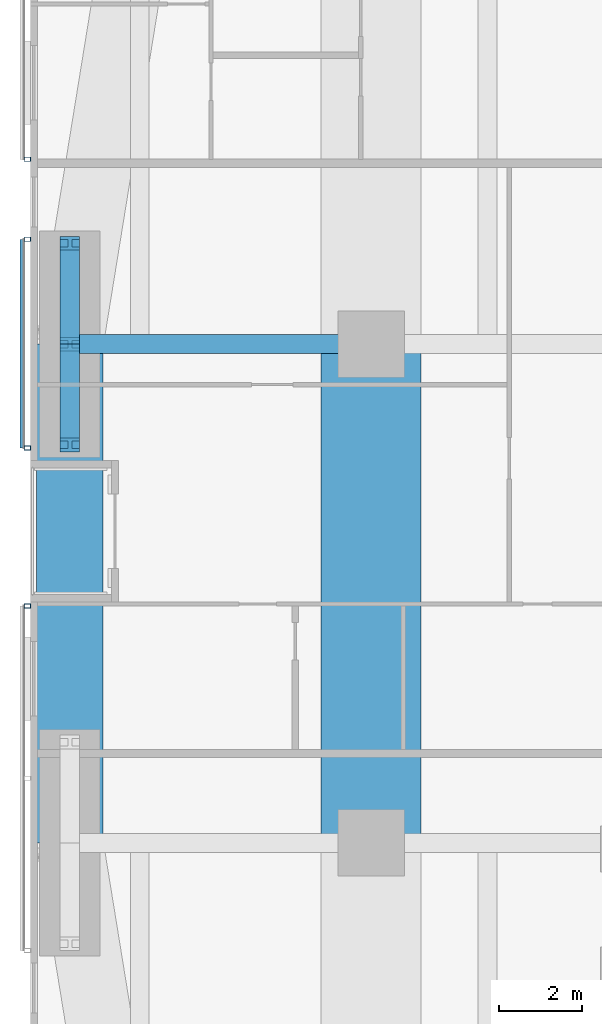
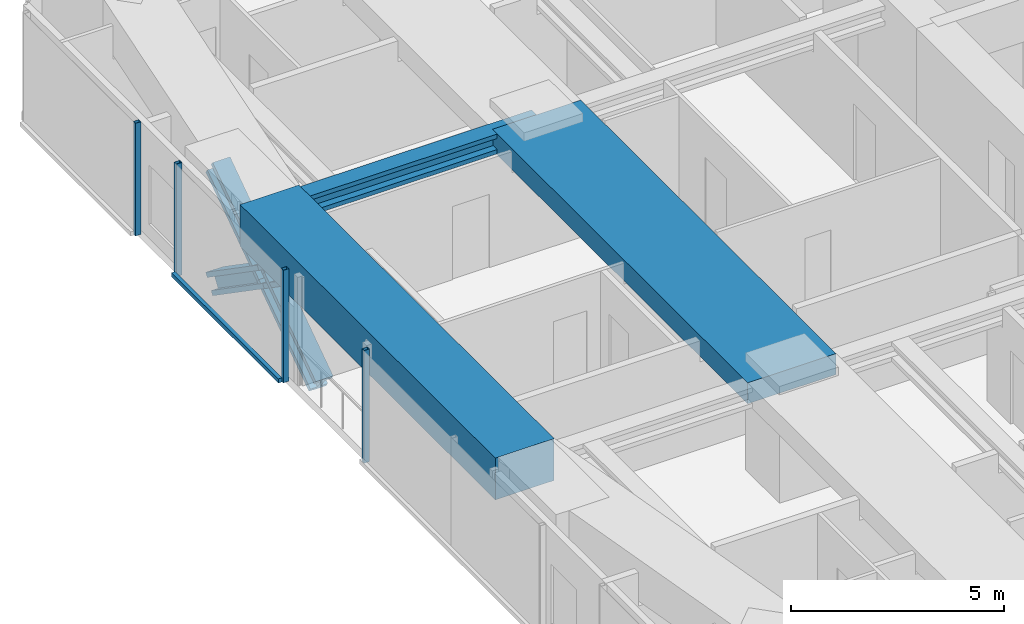
# One storey, part 7 of 24: 9 members, 3 beams, 3 elements without a shape of their own.
"""IFC4 building model written with IfcOpenShell, lengths in metres."""

from ifc_helpers import new_model, si_unit, direction, frame, origin, origin_2d, place, context, subcontext, project, spatial, rectangle, hollow_rectangle, i_section, extrude, material, material_profile, profile_set, type_object, element, aggregate, save


model = new_model("IFC4")

# Units and contexts
model_context = context("Model", 3, precision=1e-05, world=origin(), true_north=direction((0.0, 1.0)))
body_context = subcontext(model_context, "Body", "Model", "MODEL_VIEW")
ifc_project = project(units=[si_unit("LENGTHUNIT", "METRE"), si_unit("AREAUNIT", "SQUARE_METRE"), si_unit("VOLUMEUNIT", "CUBIC_METRE"), si_unit("PLANEANGLEUNIT", "RADIAN"), si_unit("MASSUNIT", "GRAM", prefix="KILO")], contexts=[model_context])

# Site, building, storey
site_placement = place(None, origin())
site = spatial("IfcSite", under=ifc_project, at=site_placement, CompositionType="ELEMENT")
building_placement = place(site_placement, origin())
building = spatial("IfcBuilding", under=site, at=building_placement, Name="Jalousie Tower", CompositionType="ELEMENT")
storey_placement = place(building_placement, frame((0.0, 0.0, 44.449951171875)))
storey = spatial("IfcBuildingStorey", under=building, at=storey_placement, Name="L11", CompositionType="ELEMENT", Elevation=44.449951171875)

# Beam
ifc_material_1 = material(Name="Steel ASTM A992 Grade 50", Category="steel")
ifc_material_profile_1 = material_profile(ifc_material_1, i_section(OverallWidth=0.45458984375, OverallDepth=0.569091796875, WebThickness=0.077880859375, FlangeThickness=0.124755859375, at=origin_2d()), Name="W14X730")
ifc_profile_set_1 = profile_set([ifc_material_profile_1], Name="Steel ASTM A992 Grade 50")
beam_type_1 = type_object("IfcBeamType", Name="LEAN COLLECTOR W14X730", PredefinedType="BEAM", material=ifc_profile_set_1)
beam_1_placement = place(storey_placement, frame((2.949951171875, 25.0, 2.825439453125), z_axis=(1.0, 0.0, 0.0), x_axis=(0.0, 1.0, 0.0)))
element("IfcBeam", 1, at=beam_1_placement, inside=storey, type_object=beam_type_1, Name="Lean collector under L12", PredefinedType="BEAM", context=body_context, shape_type="SweptSolid", body=[
    extrude(i_section(OverallWidth=0.45458984375, OverallDepth=0.569091796875, WebThickness=0.077880859375, FlangeThickness=0.124755859375, at=origin_2d()), origin(), (0.0, 0.0, 1.0), 7.25),
])

# Members
ifc_material_2 = material(Name="Steel ASTM A992 Grade 50", Category="steel")
ifc_material_profile_2 = material_profile(ifc_material_2, i_section(OverallWidth=0.472412109375, OverallDepth=0.5791015625, WebThickness=0.094970703125, FlangeThickness=0.1298828125, at=origin_2d()), Name="W14X808")
ifc_profile_set_2 = profile_set([ifc_material_profile_2], Name="Steel ASTM A992 Grade 50")
member_type_1 = type_object("IfcMemberType", Name="PERIMETER BRACE W14X808", PredefinedType="BRACE", material=ifc_profile_set_2)
for number, where, z_axis, x_axis, name in (
    (2, (2.949951171875, 22.574951171875, -0.599853515625), (0.0, 0.82283879777, 0.568274856811), (-1.0, 0.0, 0.0), "Perimeter brace 13 L11 part 1"),
    (3, (2.949951171875, 25.0, 1.074951171875), (0.0, 0.822800062329, 0.568330940062), (-1.0, 0.0, 0.0), "Perimeter brace 13 L11 part 2"),
    (4, (2.949951171875, 27.425048828125, -0.599853515625), (0.0, -0.82283879777, 0.568274856811), (1.0, 0.0, 0.0), "Perimeter brace 13 L11 part 3"),
    (5, (2.949951171875, 25.0, 1.074951171875), (0.0, -0.822800062329, 0.568330940062), (1.0, 0.0, 0.0), "Perimeter brace 13 L11 part 4"),
):
    element("IfcMember", number, at=place(storey_placement, frame(where, z_axis=z_axis, x_axis=x_axis)), inside=storey, type_object=member_type_1, Name=name, PredefinedType="BRACE", context=body_context, shape_type="SweptSolid", body=[
        extrude(i_section(OverallWidth=0.472412109375, OverallDepth=0.5791015625, WebThickness=0.094970703125, FlangeThickness=0.1298828125, at=origin_2d()), origin(), (0.0, 0.0, 1.0), 2.947265625),
    ])

# Beams
ifc_material_3 = material(Name="Concrete f'c 40 MPa", Category="concrete")
ifc_material_profile_3 = material_profile(ifc_material_3, rectangle(XDim=1.60009765625, YDim=1.199951171875, at=origin_2d()), Name="RC 1600x1200")
ifc_profile_set_3 = profile_set([ifc_material_profile_3], Name="Concrete f'c 40 MPa")
beam_type_2 = type_object("IfcBeamType", Name="RC BEAM 1600x1200", PredefinedType="BEAM", material=ifc_profile_set_3)
beam_2_placement = place(storey_placement, frame((2.949951171875, 25.0, 2.75), z_axis=(0.0, -1.0, 0.0), x_axis=(1.0, 0.0, 0.0)))
element("IfcBeam", 6, at=beam_2_placement, inside=storey, type_object=beam_type_2, Name="Edge band beam 13-14 under L12", PredefinedType="BEAM", context=body_context, shape_type="SweptSolid", body=[
    extrude(rectangle(XDim=1.60009765625, YDim=1.199951171875, at=origin_2d()), origin(), (0.0, 0.0, 1.0), 12.0),
])
ifc_material_4 = material(Name="Concrete f'c 40 MPa", Category="concrete")
ifc_material_profile_4 = material_profile(ifc_material_4, rectangle(XDim=2.39990234375, YDim=0.60009765625, at=origin_2d()), Name="RC 2400x600")
ifc_profile_set_4 = profile_set([ifc_material_profile_4], Name="Concrete f'c 40 MPa")
beam_type_3 = type_object("IfcBeamType", Name="RC BEAM 2400x600", PredefinedType="BEAM", material=ifc_profile_set_4)
beam_3_placement = place(storey_placement, frame((10.199951171875, 13.0, 2.81005859375), z_axis=(0.0, 1.0, 0.0), x_axis=(-1.0, 0.0, 0.0)))
element("IfcBeam", 7, at=beam_3_placement, inside=storey, type_object=beam_type_3, Name="Floor band beam under L12", PredefinedType="BEAM", context=body_context, shape_type="SweptSolid", body=[
    extrude(rectangle(XDim=2.39990234375, YDim=0.60009765625, at=origin_2d()), origin(), (0.0, 0.0, 1.0), 12.0),
])

# Curtain wall, member
ifc_material_5 = material(Name="Perforated aluminium sheet", Category="aluminium")
curtain_wall_type = type_object("IfcCurtainWallType", Name="SOLAR SCREEN SS-1", PredefinedType="USERDEFINED", material=ifc_material_5)
curtain_wall_1_placement = place(storey_placement, origin())
curtain_wall_1 = element("IfcCurtainWall", 8, at=curtain_wall_1_placement, inside=storey, type_object=curtain_wall_type, Name="Solar screen L11", ObjectType="SOLAR SCREEN SS-1", PredefinedType="USERDEFINED")
ifc_material_6 = material(Name="Steel ASTM A500 Grade C", Category="steel")
ifc_material_profile_5 = material_profile(ifc_material_6, hollow_rectangle(XDim=0.1015625, YDim=0.15234375, WallThickness=0.00634765625, at=origin_2d()), Name="HSS6X4X1/4")
ifc_profile_set_5 = profile_set([ifc_material_profile_5], Name="Steel ASTM A500 Grade C")
member_type_2 = type_object("IfcMemberType", Name="SOLAR SCREEN SS-1 MULLION", PredefinedType="MULLION", material=ifc_profile_set_5)
member_1_placement = place(storey_placement, frame((1.9287109375, 29.449951171875, -0.119873046875), z_axis=(0.0, 0.0, 1.0), x_axis=(0.0, -1.0, 0.0)))
member_1 = element("IfcMember", 9, at=member_1_placement, type_object=member_type_2, Name="SS1 post 2", PredefinedType="MULLION", context=body_context, shape_type="SweptSolid", body=[
    extrude(hollow_rectangle(XDim=0.1015625, YDim=0.15234375, WallThickness=0.00634765625, at=origin_2d()), origin(), (0.0, 0.0, 1.0), 3.22998046875),
])
aggregate(curtain_wall_1, [member_1])

# Curtain wall, members
curtain_wall_2_placement = place(storey_placement, origin())
curtain_wall_2 = element("IfcCurtainWall", 10, at=curtain_wall_2_placement, inside=storey, type_object=curtain_wall_type, Name="Solar screen L11", ObjectType="SOLAR SCREEN SS-1", PredefinedType="USERDEFINED")
member_2_placement = place(storey_placement, frame((1.9287109375, 27.52490234375, -0.119873046875), z_axis=(0.0, 0.0, 1.0), x_axis=(0.0, -1.0, 0.0)))
member_2 = element("IfcMember", 11, at=member_2_placement, type_object=member_type_2, Name="SS1 post 1", PredefinedType="MULLION", context=body_context, shape_type="SweptSolid", body=[
    extrude(hollow_rectangle(XDim=0.1015625, YDim=0.15234375, WallThickness=0.00634765625, at=origin_2d()), origin(), (0.0, 0.0, 1.0), 3.22998046875),
])
member_3_placement = place(storey_placement, frame((1.9287109375, 22.5, -0.119873046875), z_axis=(0.0, 0.0, 1.0), x_axis=(0.0, -1.0, 0.0)))
member_3 = element("IfcMember", 12, at=member_3_placement, type_object=member_type_2, Name="SS1 post 2", PredefinedType="MULLION", context=body_context, shape_type="SweptSolid", body=[
    extrude(hollow_rectangle(XDim=0.1015625, YDim=0.15234375, WallThickness=0.00634765625, at=origin_2d()), origin(), (0.0, 0.0, 1.0), 3.22998046875),
])

# Curtain wall, member
curtain_wall_3_placement = place(storey_placement, origin())
curtain_wall_3 = element("IfcCurtainWall", 13, at=curtain_wall_3_placement, inside=storey, type_object=curtain_wall_type, Name="Solar screen L11", ObjectType="SOLAR SCREEN SS-1", PredefinedType="USERDEFINED")
member_4_placement = place(storey_placement, frame((1.9287109375, 18.699951171875, -0.119873046875), z_axis=(0.0, 0.0, 1.0), x_axis=(0.0, -1.0, 0.0)))
member_4 = element("IfcMember", 14, at=member_4_placement, type_object=member_type_2, Name="SS1 post 1", PredefinedType="MULLION", context=body_context, shape_type="SweptSolid", body=[
    extrude(hollow_rectangle(XDim=0.1015625, YDim=0.15234375, WallThickness=0.00634765625, at=origin_2d()), origin(), (0.0, 0.0, 1.0), 3.22998046875),
])
aggregate(curtain_wall_3, [member_4])

# Member
ifc_material_7 = material(Name="Extruded aluminium screen rail", Category="aluminium")
ifc_material_profile_6 = material_profile(ifc_material_7, rectangle(XDim=0.1015625, YDim=0.1201171875, at=origin_2d()), Name="RAIL 102x120")
ifc_profile_set_6 = profile_set([ifc_material_profile_6], Name="Extruded aluminium screen rail")
member_type_3 = type_object("IfcMemberType", Name="SOLAR SCREEN SS-1 TRANSOM", PredefinedType="USERDEFINED", material=ifc_profile_set_6)
member_5_placement = place(storey_placement, frame((1.8017578125, 27.52490234375, -0.06005859375), z_axis=(0.0, -1.0, 0.0), x_axis=(1.0, 0.0, 0.0)))
member_5 = element("IfcMember", 15, at=member_5_placement, type_object=member_type_3, Name="SS1 rail", ObjectType="TRANSOM", PredefinedType="USERDEFINED", context=body_context, shape_type="SweptSolid", body=[
    extrude(rectangle(XDim=0.1015625, YDim=0.1201171875, at=origin_2d()), origin(), (0.0, 0.0, 1.0), 5.02490234375),
])

aggregate(curtain_wall_2, [member_2, member_3, member_5])

save(model, "model.ifc")
